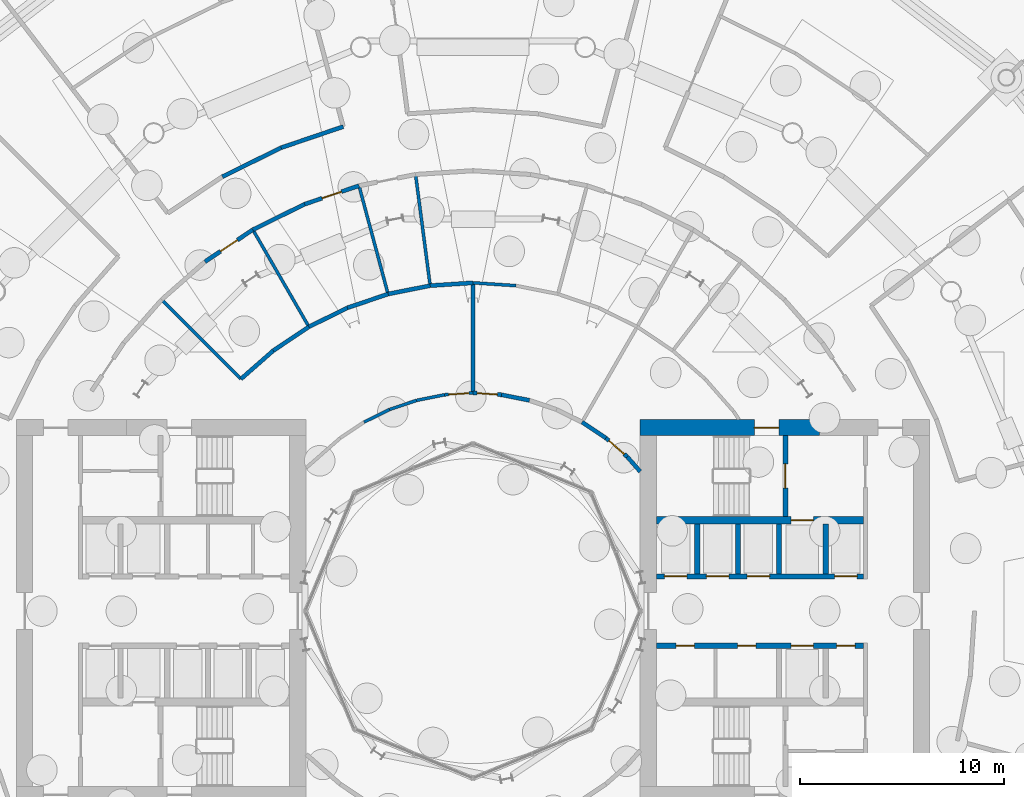
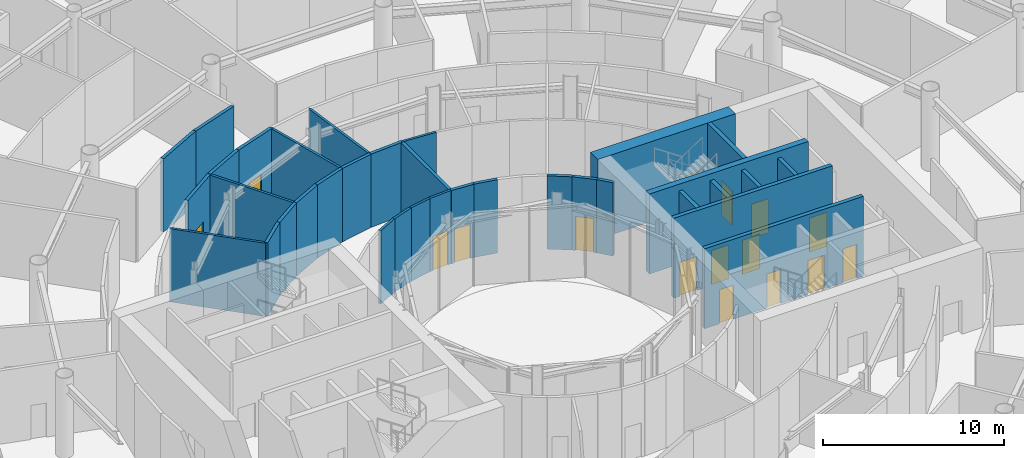
# One storey, part 24 of 41: 35 walls, 16 doors, 16 openings.
"""IFC4 building model written with IfcOpenShell, lengths in metres."""

from ifc_helpers import new_model, si_unit, direction, frame, frame_2d, origin, place, context, subcontext, project, spatial, rectangle, extrude, material, layer, layer_set, type_object, element, fill, save


model = new_model("IFC4")

# Units and contexts
model_context = context("Model", 3, precision=1e-05, world=origin(), true_north=direction((0.0, 1.0)))
body_context = subcontext(model_context, "Body", "Model", "MODEL_VIEW")
ifc_project = project(units=[si_unit("LENGTHUNIT", "METRE"), si_unit("AREAUNIT", "SQUARE_METRE"), si_unit("VOLUMEUNIT", "CUBIC_METRE"), si_unit("PLANEANGLEUNIT", "RADIAN"), si_unit("MASSUNIT", "GRAM", prefix="KILO")], contexts=[model_context])

# Site, building, storey
site_placement = place(None, origin())
site = spatial("IfcSite", under=ifc_project, at=site_placement, CompositionType="ELEMENT")
building_placement = place(site_placement, origin())
building = spatial("IfcBuilding", under=site, at=building_placement, Name="Maasbend Ring Residences", CompositionType="ELEMENT")
storey_placement = place(building_placement, origin())
storey = spatial("IfcBuildingStorey", under=building, at=storey_placement, Name="L00", CompositionType="ELEMENT", Elevation=0.0)

# Wall, openings, doors
ifc_material_1 = material(Name="Concrete C70/85", Category="concrete")
ifc_layer_1 = layer(ifc_material_1, 0.25)
ifc_layer_set_1 = layer_set([ifc_layer_1], Name="Concrete C70/85")
wall_type_1 = type_object("IfcWallType", Name="CORE WALL 250 C70/85", PredefinedType="SHEAR", material=ifc_layer_set_1)
wall_1_placement = place(storey_placement, frame((9.0, 1.699951171875, 0.0), z_axis=(0.0, 0.0, 1.0), x_axis=(1.0, 0.0, 0.0)))
wall_1 = element("IfcWall", 1, at=wall_1_placement, inside=storey, type_object=wall_type_1, Name="L00 core E wall SPN", PredefinedType="SHEAR", context=body_context, shape_type="SweptSolid", body=[
    extrude(rectangle(XDim=10.14990234375, YDim=0.25, at=frame_2d((5.074951171875, 0.0))), origin(), (0.0, 0.0, 1.0), 5.39990234375),
])
opening_1_placement = place(wall_1_placement, frame((0.387451171875, 0.0, 0.0)))
opening_1 = element("IfcOpeningElement", 2, at=opening_1_placement, cuts=wall_1, Name="Opening LD-E0001", PredefinedType="OPENING", context=body_context, shape_type="SweptSolid", body=[
    extrude(rectangle(XDim=1.10009765625, YDim=2.300048828125, at=frame_2d((0.550048828125, 1.14990234375))), frame((0.0, 0.135009765625, 0.0), z_axis=(0.0, -1.0, 0.0), x_axis=(1.0, 0.0, 0.0)), (0.0, 0.0, 1.0), 0.27001953125),
])
opening_2_placement = place(wall_1_placement, frame((2.449951171875, 0.0, 0.0)))
opening_2 = element("IfcOpeningElement", 3, at=opening_2_placement, cuts=wall_1, Name="Opening LD-E0002", PredefinedType="OPENING", context=body_context, shape_type="SweptSolid", body=[
    extrude(rectangle(XDim=1.10009765625, YDim=2.300048828125, at=frame_2d((0.550048828125, 1.14990234375))), frame((0.0, 0.135009765625, 0.0), z_axis=(0.0, -1.0, 0.0), x_axis=(1.0, 0.0, 0.0)), (0.0, 0.0, 1.0), 0.27001953125),
])
opening_3_placement = place(wall_1_placement, frame((4.449951171875, 0.0, 0.0)))
opening_3 = element("IfcOpeningElement", 4, at=opening_3_placement, cuts=wall_1, Name="Opening LD-E0003", PredefinedType="OPENING", context=body_context, shape_type="SweptSolid", body=[
    extrude(rectangle(XDim=1.10009765625, YDim=2.300048828125, at=frame_2d((0.550048828125, 1.14990234375))), frame((0.0, 0.135009765625, 0.0), z_axis=(0.0, -1.0, 0.0), x_axis=(1.0, 0.0, 0.0)), (0.0, 0.0, 1.0), 0.27001953125),
])
opening_4_placement = place(wall_1_placement, frame((8.737548828125, 0.0, 0.0)))
opening_4 = element("IfcOpeningElement", 5, at=opening_4_placement, cuts=wall_1, Name="Opening LD-E0005", PredefinedType="OPENING", context=body_context, shape_type="SweptSolid", body=[
    extrude(rectangle(XDim=1.10009765625, YDim=2.300048828125, at=frame_2d((0.550048828125, 1.14990234375))), frame((0.0, 0.135009765625, 0.0), z_axis=(0.0, -1.0, 0.0), x_axis=(1.0, 0.0, 0.0)), (0.0, 0.0, 1.0), 0.27001953125),
])
ifc_material_2 = material(Name="Stainless steel 316", Category="steel")
door_type_1 = type_object("IfcDoorType", Name="LANDING DOOR 1100 X 2300 FD60", OperationType="DOUBLE_DOOR_SLIDING", PredefinedType="DOOR", material=ifc_material_2)
door_1_placement = place(opening_1_placement, origin())
door_1 = element("IfcDoor", 6, at=door_1_placement, inside=storey, type_object=door_type_1, Name="Landing door LR-E1 L00", OperationType="DOUBLE_DOOR_SLIDING", OverallHeight=2.300048828125, OverallWidth=1.10009765625, PredefinedType="DOOR", context=body_context, shape_type="SweptSolid", body=[
    extrude(rectangle(XDim=1.10009765625, YDim=2.300048828125, at=frame_2d((0.550048828125, 1.14990234375))), frame((0.0, 0.02490234375, 0.0), z_axis=(0.0, -1.0, 0.0), x_axis=(1.0, 0.0, 0.0)), (0.0, 0.0, 1.0), 0.050048828125),
])
fill(opening_1, door_1)
door_2_placement = place(opening_2_placement, origin())
door_2 = element("IfcDoor", 7, at=door_2_placement, inside=storey, type_object=door_type_1, Name="Landing door LR-E2 L00", OperationType="DOUBLE_DOOR_SLIDING", OverallHeight=2.300048828125, OverallWidth=1.10009765625, PredefinedType="DOOR", context=body_context, shape_type="SweptSolid", body=[
    extrude(rectangle(XDim=1.10009765625, YDim=2.300048828125, at=frame_2d((0.550048828125, 1.14990234375))), frame((0.0, 0.02490234375, 0.0), z_axis=(0.0, -1.0, 0.0), x_axis=(1.0, 0.0, 0.0)), (0.0, 0.0, 1.0), 0.050048828125),
])
fill(opening_2, door_2)
door_3_placement = place(opening_3_placement, origin())
door_3 = element("IfcDoor", 8, at=door_3_placement, inside=storey, type_object=door_type_1, Name="Landing door LR-E3 L00", OperationType="DOUBLE_DOOR_SLIDING", OverallHeight=2.300048828125, OverallWidth=1.10009765625, PredefinedType="DOOR", context=body_context, shape_type="SweptSolid", body=[
    extrude(rectangle(XDim=1.10009765625, YDim=2.300048828125, at=frame_2d((0.550048828125, 1.14990234375))), frame((0.0, 0.02490234375, 0.0), z_axis=(0.0, -1.0, 0.0), x_axis=(1.0, 0.0, 0.0)), (0.0, 0.0, 1.0), 0.050048828125),
])
fill(opening_3, door_3)
door_4_placement = place(opening_4_placement, origin())
door_4 = element("IfcDoor", 9, at=door_4_placement, inside=storey, type_object=door_type_1, Name="Landing door SH-E L00", OperationType="DOUBLE_DOOR_SLIDING", OverallHeight=2.300048828125, OverallWidth=1.10009765625, PredefinedType="DOOR", context=body_context, shape_type="SweptSolid", body=[
    extrude(rectangle(XDim=1.10009765625, YDim=2.300048828125, at=frame_2d((0.550048828125, 1.14990234375))), frame((0.0, 0.02490234375, 0.0), z_axis=(0.0, -1.0, 0.0), x_axis=(1.0, 0.0, 0.0)), (0.0, 0.0, 1.0), 0.050048828125),
])
fill(opening_4, door_4)

# Wall, opening, door
wall_2_placement = place(storey_placement, frame((15.324951171875, 4.64990234375, 0.0), z_axis=(0.0, 0.0, 1.0), x_axis=(0.0, 1.0, 0.0)))
wall_2 = element("IfcWall", 10, at=wall_2_placement, inside=storey, type_object=wall_type_1, Name="L00 core E wall STEN", PredefinedType="SHEAR", context=body_context, shape_type="SweptSolid", body=[
    extrude(rectangle(XDim=3.9501953125, YDim=0.25, at=frame_2d((1.97509765625, 0.0))), origin(), (0.0, 0.0, 1.0), 5.39990234375),
])
opening_5_placement = place(wall_2_placement, frame((1.375, 0.0, 0.0)))
opening_5 = element("IfcOpeningElement", 11, at=opening_5_placement, cuts=wall_2, Name="Opening D-E0011", PredefinedType="OPENING", context=body_context, shape_type="SweptSolid", body=[
    extrude(rectangle(XDim=1.199951171875, YDim=2.300048828125, at=frame_2d((0.60009765625, 1.14990234375))), frame((0.0, 0.135009765625, 0.0), z_axis=(0.0, -1.0, 0.0), x_axis=(1.0, 0.0, 0.0)), (0.0, 0.0, 1.0), 0.27001953125),
])
ifc_material_3 = material(Name="Steel, powder coated", Category="steel")
door_type_2 = type_object("IfcDoorType", Name="STAIR DOOR 1200 X 2300 FD60", OperationType="NOTDEFINED", PredefinedType="DOOR", material=ifc_material_3)
door_5_placement = place(opening_5_placement, origin())
door_5 = element("IfcDoor", 12, at=door_5_placement, inside=storey, type_object=door_type_2, Name="Stair door ST-E L00", OperationType="SINGLE_SWING_LEFT", OverallHeight=2.300048828125, OverallWidth=1.199951171875, PredefinedType="DOOR", context=body_context, shape_type="SweptSolid", body=[
    extrude(rectangle(XDim=1.199951171875, YDim=2.300048828125, at=frame_2d((0.60009765625, 1.14990234375))), frame((0.0, 0.02490234375, 0.0), z_axis=(0.0, -1.0, 0.0), x_axis=(1.0, 0.0, 0.0)), (0.0, 0.0, 1.0), 0.050048828125),
])
fill(opening_5, door_5)

# Wall, openings, doors
wall_3_placement = place(storey_placement, frame((19.14990234375, -1.699951171875, 0.0), z_axis=(0.0, 0.0, 1.0), x_axis=(-1.0, 0.0, 0.0)))
wall_3 = element("IfcWall", 13, at=wall_3_placement, inside=storey, type_object=wall_type_1, Name="L00 core E wall SPS", PredefinedType="SHEAR", context=body_context, shape_type="SweptSolid", body=[
    extrude(rectangle(XDim=10.14990234375, YDim=0.25, at=frame_2d((5.074951171875, 0.0))), origin(), (0.0, 0.0, 1.0), 5.39990234375),
])
opening_6_placement = place(wall_3_placement, frame((2.449951171875, 0.0, 0.0)))
opening_6 = element("IfcOpeningElement", 14, at=opening_6_placement, cuts=wall_3, Name="Opening LD-E0006", PredefinedType="OPENING", context=body_context, shape_type="SweptSolid", body=[
    extrude(rectangle(XDim=1.10009765625, YDim=2.300048828125, at=frame_2d((0.550048828125, 1.14990234375))), frame((0.0, 0.135009765625, 0.0), z_axis=(0.0, -1.0, 0.0), x_axis=(1.0, 0.0, 0.0)), (0.0, 0.0, 1.0), 0.27001953125),
])
opening_7_placement = place(wall_3_placement, frame((8.28759765625, 0.0, 0.0)))
opening_7 = element("IfcOpeningElement", 15, at=opening_7_placement, cuts=wall_3, Name="Opening D-E0007", PredefinedType="OPENING", context=body_context, shape_type="SweptSolid", body=[
    extrude(rectangle(XDim=0.89990234375, YDim=2.300048828125, at=frame_2d((0.449951171875, 1.14990234375))), frame((0.0, 0.135009765625, 0.0), z_axis=(0.0, -1.0, 0.0), x_axis=(1.0, 0.0, 0.0)), (0.0, 0.0, 1.0), 0.27001953125),
])
opening_8_placement = place(wall_3_placement, frame((5.27490234375, 0.0, 0.0)))
opening_8 = element("IfcOpeningElement", 16, at=opening_8_placement, cuts=wall_3, Name="Opening D-E0008", PredefinedType="OPENING", context=body_context, shape_type="SweptSolid", body=[
    extrude(rectangle(XDim=0.89990234375, YDim=2.300048828125, at=frame_2d((0.449951171875, 1.14990234375))), frame((0.0, 0.135009765625, 0.0), z_axis=(0.0, -1.0, 0.0), x_axis=(1.0, 0.0, 0.0)), (0.0, 0.0, 1.0), 0.27001953125),
])
opening_9_placement = place(wall_3_placement, frame((0.41259765625, 0.0, 0.0)))
opening_9 = element("IfcOpeningElement", 17, at=opening_9_placement, cuts=wall_3, Name="Opening D-E0009", PredefinedType="OPENING", context=body_context, shape_type="SweptSolid", body=[
    extrude(rectangle(XDim=0.89990234375, YDim=2.300048828125, at=frame_2d((0.449951171875, 1.14990234375))), frame((0.0, 0.135009765625, 0.0), z_axis=(0.0, -1.0, 0.0), x_axis=(1.0, 0.0, 0.0)), (0.0, 0.0, 1.0), 0.27001953125),
])
door_6_placement = place(opening_6_placement, origin())
door_6 = element("IfcDoor", 18, at=door_6_placement, inside=storey, type_object=door_type_1, Name="Landing door SV-E L00", OperationType="DOUBLE_DOOR_SLIDING", OverallHeight=2.300048828125, OverallWidth=1.10009765625, PredefinedType="DOOR", context=body_context, shape_type="SweptSolid", body=[
    extrude(rectangle(XDim=1.10009765625, YDim=2.300048828125, at=frame_2d((0.550048828125, 1.14990234375))), frame((0.0, 0.02490234375, 0.0), z_axis=(0.0, -1.0, 0.0), x_axis=(1.0, 0.0, 0.0)), (0.0, 0.0, 1.0), 0.050048828125),
])
fill(opening_6, door_6)
ifc_material_4 = material(Name="Steel, powder coated", Category="steel")
door_type_3 = type_object("IfcDoorType", Name="ROOM DOOR 900 X 2300 FD30S", OperationType="NOTDEFINED", PredefinedType="DOOR", material=ifc_material_4)
door_7_placement = place(opening_7_placement, origin())
door_7 = element("IfcDoor", 19, at=door_7_placement, inside=storey, type_object=door_type_3, Name="Room door L00", OperationType="SINGLE_SWING_LEFT", OverallHeight=2.300048828125, OverallWidth=0.89990234375, PredefinedType="DOOR", context=body_context, shape_type="SweptSolid", body=[
    extrude(rectangle(XDim=0.89990234375, YDim=2.300048828125, at=frame_2d((0.449951171875, 1.14990234375))), frame((0.0, 0.02490234375, 0.0), z_axis=(0.0, -1.0, 0.0), x_axis=(1.0, 0.0, 0.0)), (0.0, 0.0, 1.0), 0.050048828125),
])
fill(opening_7, door_7)
door_8_placement = place(opening_8_placement, origin())
door_8 = element("IfcDoor", 20, at=door_8_placement, inside=storey, type_object=door_type_3, Name="Room door L00", OperationType="SINGLE_SWING_LEFT", OverallHeight=2.300048828125, OverallWidth=0.89990234375, PredefinedType="DOOR", context=body_context, shape_type="SweptSolid", body=[
    extrude(rectangle(XDim=0.89990234375, YDim=2.300048828125, at=frame_2d((0.449951171875, 1.14990234375))), frame((0.0, 0.02490234375, 0.0), z_axis=(0.0, -1.0, 0.0), x_axis=(1.0, 0.0, 0.0)), (0.0, 0.0, 1.0), 0.050048828125),
])
fill(opening_8, door_8)
door_9_placement = place(opening_9_placement, origin())
door_9 = element("IfcDoor", 21, at=door_9_placement, inside=storey, type_object=door_type_3, Name="Room door L00", OperationType="SINGLE_SWING_RIGHT", OverallHeight=2.300048828125, OverallWidth=0.89990234375, PredefinedType="DOOR", context=body_context, shape_type="SweptSolid", body=[
    extrude(rectangle(XDim=0.89990234375, YDim=2.300048828125, at=frame_2d((0.449951171875, 1.14990234375))), frame((0.0, 0.02490234375, 0.0), z_axis=(0.0, -1.0, 0.0), x_axis=(1.0, 0.0, 0.0)), (0.0, 0.0, 1.0), 0.050048828125),
])
fill(opening_9, door_9)

# Wall, opening, door
ifc_material_5 = material(Name="Concrete C70/85", Category="concrete")
ifc_layer_2 = layer(ifc_material_5, 0.375)
ifc_layer_set_2 = layer_set([ifc_layer_2], Name="Concrete C70/85")
wall_type_2 = type_object("IfcWallType", Name="CORE WALL 375 C70/85", PredefinedType="SHEAR", material=ifc_layer_set_2)
wall_4_placement = place(storey_placement, frame((9.0, 4.46240234375, 0.0), z_axis=(0.0, 0.0, 1.0), x_axis=(1.0, 0.0, 0.0)))
wall_4 = element("IfcWall", 22, at=wall_4_placement, inside=storey, type_object=wall_type_2, Name="L00 core E wall BN", PredefinedType="SHEAR", context=body_context, shape_type="SweptSolid", body=[
    extrude(rectangle(XDim=10.14990234375, YDim=0.375, at=frame_2d((5.074951171875, 0.0))), origin(), (0.0, 0.0, 1.0), 5.39990234375),
])
opening_10_placement = place(wall_4_placement, frame((6.60009765625, 0.0, 0.0)))
opening_10 = element("IfcOpeningElement", 23, at=opening_10_placement, cuts=wall_4, Name="Opening LD-E0004", PredefinedType="OPENING", context=body_context, shape_type="SweptSolid", body=[
    extrude(rectangle(XDim=1.10009765625, YDim=2.300048828125, at=frame_2d((0.550048828125, 1.14990234375))), frame((0.0, 0.197509765625, 0.0), z_axis=(0.0, -1.0, 0.0), x_axis=(1.0, 0.0, 0.0)), (0.0, 0.0, 1.0), 0.39501953125),
])
door_10_placement = place(opening_10_placement, origin())
door_10 = element("IfcDoor", 24, at=door_10_placement, inside=storey, type_object=door_type_1, Name="Landing door FF-E L00", OperationType="DOUBLE_DOOR_SLIDING", OverallHeight=2.300048828125, OverallWidth=1.10009765625, PredefinedType="DOOR", context=body_context, shape_type="SweptSolid", body=[
    extrude(rectangle(XDim=1.10009765625, YDim=2.300048828125, at=frame_2d((0.550048828125, 1.14990234375))), frame((0.0, 0.02490234375, 0.0), z_axis=(0.0, -1.0, 0.0), x_axis=(1.0, 0.0, 0.0)), (0.0, 0.0, 1.0), 0.050048828125),
])
fill(opening_10, door_10)

ifc_material_6 = material(Name="Concrete C70/85", Category="concrete")
ifc_layer_3 = layer(ifc_material_6, 0.800048828125)
ifc_layer_set_3 = layer_set([ifc_layer_3], Name="Concrete C70/85")
wall_type_3 = type_object("IfcWallType", Name="CORE WALL 800 C70/85", PredefinedType="SHEAR", material=ifc_layer_set_3)
wall_5_placement = place(storey_placement, frame((8.199951171875, 9.0, 0.0), z_axis=(0.0, 0.0, 1.0), x_axis=(1.0, 0.0, 0.0)))
wall_5 = element("IfcWall", 25, at=wall_5_placement, inside=storey, type_object=wall_type_3, Name="L00 core E wall PNA", PredefinedType="SHEAR", context=body_context, shape_type="SweptSolid", body=[
    extrude(rectangle(XDim=8.800048828125, YDim=0.800048828125, at=frame_2d((4.39990234375, 0.0))), origin(), (0.0, 0.0, 1.0), 5.39990234375),
])
opening_11_placement = place(wall_5_placement, frame((5.60009765625, 0.0, 0.0)))
opening_11 = element("IfcOpeningElement", 26, at=opening_11_placement, cuts=wall_5, Name="Opening D-E0019", PredefinedType="OPENING", context=body_context, shape_type="SweptSolid", body=[
    extrude(rectangle(XDim=1.199951171875, YDim=2.300048828125, at=frame_2d((0.60009765625, 1.14990234375))), frame((0.0, 0.41015625, 0.0), z_axis=(0.0, -1.0, 0.0), x_axis=(1.0, 0.0, 0.0)), (0.0, 0.0, 1.0), 0.820068359375),
])
door_11_placement = place(opening_11_placement, origin())
door_11 = element("IfcDoor", 27, at=door_11_placement, inside=storey, type_object=door_type_2, Name="Stair door ST-E L00", OperationType="SINGLE_SWING_LEFT", OverallHeight=2.300048828125, OverallWidth=1.199951171875, PredefinedType="DOOR", context=body_context, shape_type="SweptSolid", body=[
    extrude(rectangle(XDim=1.199951171875, YDim=2.300048828125, at=frame_2d((0.60009765625, 1.14990234375))), frame((0.0, 0.02490234375, 0.0), z_axis=(0.0, -1.0, 0.0), x_axis=(1.0, 0.0, 0.0)), (0.0, 0.0, 1.0), 0.050048828125),
])
fill(opening_11, door_11)

# Wall
ifc_material_7 = material(Name="Concrete C30/37", Category="concrete")
ifc_layer_4 = layer(ifc_material_7, 0.199951171875)
ifc_layer_set_4 = layer_set([ifc_layer_4], Name="Concrete C30/37")
wall_type_4 = type_object("IfcWallType", Name="CORRIDOR WALL 200 CONCRETE", PredefinedType="PARTITIONING", material=ifc_layer_set_4)
wall_6_placement = place(storey_placement, frame((0.0, 10.699951171875, 0.0), z_axis=(0.0, 0.0, 1.0), x_axis=(0.0, 1.0, 0.0)))
element("IfcWall", 28, at=wall_6_placement, inside=storey, type_object=wall_type_4, Name="U-L00-w107", PredefinedType="PARTITIONING", context=body_context, shape_type="SweptSolid", body=[
    extrude(rectangle(XDim=5.400146484375, YDim=0.199951171875, at=frame_2d((2.7001953125, 0.0))), origin(), (0.0, 0.0, 1.0), 4.949951171875),
])

# Wall, opening, door
wall_7_placement = place(storey_placement, frame((0.0, 10.699951171875, 0.0), z_axis=(0.0, 0.0, 1.0), x_axis=(0.997836555004, -0.065743512974, 0.0)))
wall_7 = element("IfcWall", 29, at=wall_7_placement, inside=storey, type_object=wall_type_4, Name="U-L00-w141", PredefinedType="PARTITIONING", context=body_context, shape_type="SweptSolid", body=[
    extrude(rectangle(XDim=1.39990234375, YDim=0.199951171875, at=frame_2d((0.699951171875, 0.0))), origin(), (0.0, 0.0, 1.0), 4.949951171875),
])
opening_12_placement = place(wall_7_placement, frame((0.199951171875, 0.0, 0.0)))
opening_12 = element("IfcOpeningElement", 30, at=opening_12_placement, cuts=wall_7, Name="Opening D-0002", PredefinedType="OPENING", context=body_context, shape_type="SweptSolid", body=[
    extrude(rectangle(XDim=1.0, YDim=2.300048828125, at=frame_2d((0.5, 1.14990234375))), frame((0.0, 0.10986328125, 0.0), z_axis=(0.0, -1.0, 0.0), x_axis=(1.0, 0.0, 0.0)), (0.0, 0.0, 1.0), 0.219970703125),
])
ifc_material_8 = material(Name="Timber, painted", Category="wood")
door_type_4 = type_object("IfcDoorType", Name="ROOM DOOR 1000 X 2300", OperationType="NOTDEFINED", PredefinedType="DOOR", material=ifc_material_8)
door_12_placement = place(opening_12_placement, origin())
door_12 = element("IfcDoor", 31, at=door_12_placement, inside=storey, type_object=door_type_4, Name="D-0002", OperationType="SINGLE_SWING_LEFT", OverallHeight=2.300048828125, OverallWidth=1.0, PredefinedType="DOOR", context=body_context, shape_type="SweptSolid", body=[
    extrude(rectangle(XDim=1.0, YDim=2.300048828125, at=frame_2d((0.5, 1.14990234375))), frame((0.0, 0.02490234375, 0.0), z_axis=(0.0, -1.0, 0.0), x_axis=(1.0, 0.0, 0.0)), (0.0, 0.0, 1.0), 0.050048828125),
])
fill(opening_12, door_12)

# Walls
wall_8_placement = place(storey_placement, frame((1.39697265625, 10.60791015625, 0.0), z_axis=(0.0, 0.0, 1.0), x_axis=(0.98078152375, -0.195109207038, 0.0)))
element("IfcWall", 32, at=wall_8_placement, inside=storey, type_object=wall_type_4, Name="U-L00-w142", PredefinedType="PARTITIONING", context=body_context, shape_type="SweptSolid", body=[
    extrude(rectangle(XDim=1.39892578125, YDim=0.199951171875, at=frame_2d((0.699462890625, 0.0))), origin(), (0.0, 0.0, 1.0), 4.949951171875),
])
wall_9_placement = place(storey_placement, frame((5.35009765625, 9.26611328125, 0.0), z_axis=(0.0, 0.0, 1.0), x_axis=(0.831647476803, -0.555303947696, 0.0)))
element("IfcWall", 33, at=wall_9_placement, inside=storey, type_object=wall_type_4, Name="U-L00-w145", PredefinedType="PARTITIONING", context=body_context, shape_type="SweptSolid", body=[
    extrude(rectangle(XDim=1.3994140625, YDim=0.199951171875, at=frame_2d((0.69970703125, 0.0))), origin(), (0.0, 0.0, 1.0), 4.949951171875),
])

# Wall, opening, door
wall_10_placement = place(storey_placement, frame((6.513916015625, 8.489013671875, 0.0), z_axis=(0.0, 0.0, 1.0), x_axis=(0.751657456611, -0.65955368843, 0.0)))
wall_10 = element("IfcWall", 34, at=wall_10_placement, inside=storey, type_object=wall_type_4, Name="U-L00-w146", PredefinedType="PARTITIONING", context=body_context, shape_type="SweptSolid", body=[
    extrude(rectangle(XDim=1.399658203125, YDim=0.199951171875, at=frame_2d((0.69970703125, 0.0))), origin(), (0.0, 0.0, 1.0), 4.949951171875),
])
opening_13_placement = place(wall_10_placement, frame((0.199951171875, 0.0, 0.0)))
opening_13 = element("IfcOpeningElement", 35, at=opening_13_placement, cuts=wall_10, Name="Opening D-0001", PredefinedType="OPENING", context=body_context, shape_type="SweptSolid", body=[
    extrude(rectangle(XDim=1.0, YDim=2.300048828125, at=frame_2d((0.5, 1.14990234375))), frame((0.0, 0.10986328125, 0.0), z_axis=(0.0, -1.0, 0.0), x_axis=(1.0, 0.0, 0.0)), (0.0, 0.0, 1.0), 0.219970703125),
])
door_13_placement = place(opening_13_placement, origin())
door_13 = element("IfcDoor", 36, at=door_13_placement, inside=storey, type_object=door_type_4, Name="D-0001", OperationType="SINGLE_SWING_LEFT", OverallHeight=2.300048828125, OverallWidth=1.0, PredefinedType="DOOR", context=body_context, shape_type="SweptSolid", body=[
    extrude(rectangle(XDim=1.0, YDim=2.300048828125, at=frame_2d((0.5, 1.14990234375))), frame((0.0, 0.02490234375, 0.0), z_axis=(0.0, -1.0, 0.0), x_axis=(1.0, 0.0, 0.0)), (0.0, 0.0, 1.0), 0.050048828125),
])
fill(opening_13, door_13)

# Walls
wall_11_placement = place(storey_placement, frame((7.56591796875, 7.56591796875, 0.0), z_axis=(0.0, 0.0, 1.0), x_axis=(0.659384951594, -0.751805483893, 0.0)))
element("IfcWall", 37, at=wall_11_placement, inside=storey, type_object=wall_type_4, Name="U-L00-w147", PredefinedType="PARTITIONING", context=body_context, shape_type="SweptSolid", body=[
    extrude(rectangle(XDim=0.961669921875, YDim=0.199951171875, at=frame_2d((0.48095703125, 0.0))), origin(), (0.0, 0.0, 1.0), 4.949951171875),
])
for number, where, z_axis, x_axis, name in (
    (38, (-11.384033203125, 11.384033203125, 0.0), (0.0, 0.0, 1.0), (0.751685505492, 0.659521721275, 0.0), "U-L00-w148"),
    (39, (-9.801025390625, 12.77294921875, 0.0), (0.0, 0.0, 1.0), (0.831425547365, 0.555636175198, 0.0), "U-L00-w149"),
    (40, (-8.050048828125, 13.943115234375, 0.0), (0.0, 0.0, 1.0), (0.897008779175, 0.442012726156, 0.0), "U-L00-w150"),
):
    element("IfcWall", number, at=place(storey_placement, frame(where, z_axis=z_axis, x_axis=x_axis)), inside=storey, type_object=wall_type_4, Name=name, PredefinedType="PARTITIONING", context=body_context, shape_type="SweptSolid", body=[
        extrude(rectangle(XDim=2.10595703125, YDim=0.199951171875, at=frame_2d((1.052978515625, 0.0))), origin(), (0.0, 0.0, 1.0), 4.949951171875),
    ])
wall_12_placement = place(storey_placement, frame((-6.160888671875, 14.8740234375, 0.0), z_axis=(0.0, 0.0, 1.0), x_axis=(0.94690623261, 0.321509854662, 0.0)))
element("IfcWall", 41, at=wall_12_placement, inside=storey, type_object=wall_type_4, Name="U-L00-w151", PredefinedType="PARTITIONING", context=body_context, shape_type="SweptSolid", body=[
    extrude(rectangle(XDim=2.105712890625, YDim=0.199951171875, at=frame_2d((1.052734375, 0.0))), origin(), (0.0, 0.0, 1.0), 4.949951171875),
])
wall_13_placement = place(storey_placement, frame((-4.1669921875, 15.551025390625, 0.0), z_axis=(0.0, 0.0, 1.0), x_axis=(0.980789636989, 0.195068418702, 0.0)))
element("IfcWall", 42, at=wall_13_placement, inside=storey, type_object=wall_type_4, Name="U-L00-w152", PredefinedType="PARTITIONING", context=body_context, shape_type="SweptSolid", body=[
    extrude(rectangle(XDim=2.1064453125, YDim=0.199951171875, at=frame_2d((1.05322265625, 0.0))), origin(), (0.0, 0.0, 1.0), 4.949951171875),
])
wall_14_placement = place(storey_placement, frame((-2.10107421875, 15.9619140625, 0.0), z_axis=(0.0, 0.0, 1.0), x_axis=(0.997844271403, 0.065626290683, 0.0)))
element("IfcWall", 43, at=wall_14_placement, inside=storey, type_object=wall_type_4, Name="U-L00-w153", PredefinedType="PARTITIONING", context=body_context, shape_type="SweptSolid", body=[
    extrude(rectangle(XDim=2.105712890625, YDim=0.199951171875, at=frame_2d((1.052734375, 0.0))), origin(), (0.0, 0.0, 1.0), 4.949951171875),
])

# Wall, opening, door
wall_15_placement = place(storey_placement, frame((-13.14892578125, 17.135986328125, 0.0), z_axis=(0.0, 0.0, 1.0), x_axis=(0.831371669473, 0.55571678686, 0.0)))
wall_15 = element("IfcWall", 44, at=wall_15_placement, inside=storey, type_object=wall_type_4, Name="U-L00-w165", PredefinedType="PARTITIONING", context=body_context, shape_type="SweptSolid", body=[
    extrude(rectangle(XDim=2.8251953125, YDim=0.199951171875, at=frame_2d((1.41259765625, 0.0))), origin(), (0.0, 0.0, 1.0), 4.949951171875),
])
opening_14_placement = place(wall_15_placement, frame((0.9130859375, 0.0, 0.0)))
opening_14 = element("IfcOpeningElement", 45, at=opening_14_placement, cuts=wall_15, Name="Opening D-0013", PredefinedType="OPENING", context=body_context, shape_type="SweptSolid", body=[
    extrude(rectangle(XDim=1.0, YDim=2.300048828125, at=frame_2d((0.5, 1.14990234375))), frame((0.0, 0.10986328125, 0.0), z_axis=(0.0, -1.0, 0.0), x_axis=(1.0, 0.0, 0.0)), (0.0, 0.0, 1.0), 0.219970703125),
])
door_14_placement = place(opening_14_placement, origin())
door_14 = element("IfcDoor", 46, at=door_14_placement, inside=storey, type_object=door_type_4, Name="D-0013", OperationType="SINGLE_SWING_RIGHT", OverallHeight=2.300048828125, OverallWidth=1.0, PredefinedType="DOOR", context=body_context, shape_type="SweptSolid", body=[
    extrude(rectangle(XDim=1.0, YDim=2.300048828125, at=frame_2d((0.5, 1.14990234375))), frame((0.0, 0.02490234375, 0.0), z_axis=(0.0, -1.0, 0.0), x_axis=(1.0, 0.0, 0.0)), (0.0, 0.0, 1.0), 0.050048828125),
])
fill(opening_14, door_14)

# Wall
wall_16_placement = place(storey_placement, frame((-10.800048828125, 18.7060546875, 0.0), z_axis=(0.0, 0.0, 1.0), x_axis=(0.896816398134, 0.442402924988, 0.0)))
element("IfcWall", 47, at=wall_16_placement, inside=storey, type_object=wall_type_4, Name="U-L00-w166", PredefinedType="PARTITIONING", context=body_context, shape_type="SweptSolid", body=[
    extrude(rectangle(XDim=2.825439453125, YDim=0.199951171875, at=frame_2d((1.41259765625, 0.0))), origin(), (0.0, 0.0, 1.0), 4.949951171875),
])

# Wall, opening, door
wall_17_placement = place(storey_placement, frame((-8.26611328125, 19.9560546875, 0.0), z_axis=(0.0, 0.0, 1.0), x_axis=(0.946976353269, 0.321303262276, 0.0)))
wall_17 = element("IfcWall", 48, at=wall_17_placement, inside=storey, type_object=wall_type_4, Name="U-L00-w167", PredefinedType="PARTITIONING", context=body_context, shape_type="SweptSolid", body=[
    extrude(rectangle(XDim=2.825927734375, YDim=0.199951171875, at=frame_2d((1.4130859375, 0.0))), origin(), (0.0, 0.0, 1.0), 4.949951171875),
])
opening_15_placement = place(wall_17_placement, frame((0.9130859375, 0.0, 0.0)))
opening_15 = element("IfcOpeningElement", 49, at=opening_15_placement, cuts=wall_17, Name="Opening D-0012", PredefinedType="OPENING", context=body_context, shape_type="SweptSolid", body=[
    extrude(rectangle(XDim=1.0, YDim=2.300048828125, at=frame_2d((0.5, 1.14990234375))), frame((0.0, 0.10986328125, 0.0), z_axis=(0.0, -1.0, 0.0), x_axis=(1.0, 0.0, 0.0)), (0.0, 0.0, 1.0), 0.219970703125),
])
door_15_placement = place(opening_15_placement, origin())
door_15 = element("IfcDoor", 50, at=door_15_placement, inside=storey, type_object=door_type_4, Name="D-0012", OperationType="SINGLE_SWING_RIGHT", OverallHeight=2.300048828125, OverallWidth=1.0, PredefinedType="DOOR", context=body_context, shape_type="SweptSolid", body=[
    extrude(rectangle(XDim=1.0, YDim=2.300048828125, at=frame_2d((0.5, 1.14990234375))), frame((0.0, 0.02490234375, 0.0), z_axis=(0.0, -1.0, 0.0), x_axis=(1.0, 0.0, 0.0)), (0.0, 0.0, 1.0), 0.050048828125),
])
fill(opening_15, door_15)

# Walls
wall_18_placement = place(storey_placement, frame((-12.300048828125, 21.303955078125, 0.0), z_axis=(0.0, 0.0, 1.0), x_axis=(0.896886949195, 0.442259878763, 0.0)))
element("IfcWall", 51, at=wall_18_placement, inside=storey, type_object=wall_type_4, Name="U-L00-w184", PredefinedType="PARTITIONING", context=body_context, shape_type="SweptSolid", body=[
    extrude(rectangle(XDim=3.2177734375, YDim=0.199951171875, at=frame_2d((1.60888671875, 0.0))), origin(), (0.0, 0.0, 1.0), 4.949951171875),
])
wall_19_placement = place(storey_placement, frame((-9.4140625, 22.72705078125, 0.0), z_axis=(0.0, 0.0, 1.0), x_axis=(0.946877665823, 0.321593976879, 0.0)))
element("IfcWall", 52, at=wall_19_placement, inside=storey, type_object=wall_type_4, Name="U-L00-w185", PredefinedType="PARTITIONING", context=body_context, shape_type="SweptSolid", body=[
    extrude(rectangle(XDim=3.218017578125, YDim=0.199951171875, at=frame_2d((1.60888671875, 0.0))), origin(), (0.0, 0.0, 1.0), 4.949951171875),
])
ifc_material_9 = material(Name="Gypsum board on steel studs", Category="steel")
ifc_layer_5 = layer(ifc_material_9, 0.14990234375)
ifc_layer_set_5 = layer_set([ifc_layer_5], Name="PARTITION 150 GYPSUM")
wall_type_5 = type_object("IfcWallType", Name="PARTITION 150 GYPSUM", PredefinedType="PARTITIONING", material=ifc_layer_set_5)
wall_20_placement = place(storey_placement, frame((-15.27392578125, 15.27392578125, 0.0), z_axis=(0.0, 0.0, 1.0), x_axis=(0.707106781187, -0.707106781187, 0.0)))
element("IfcWall", 53, at=wall_20_placement, inside=storey, type_object=wall_type_5, Name="U-L00-w096", PredefinedType="PARTITIONING", context=body_context, shape_type="SweptSolid", body=[
    extrude(rectangle(XDim=5.501220703125, YDim=0.14990234375, at=frame_2d((2.75048828125, 0.0))), origin(), (0.0, 0.0, 1.0), 4.949951171875),
])
wall_21_placement = place(storey_placement, frame((-10.800048828125, 18.7060546875, 0.0), z_axis=(0.0, 0.0, 1.0), x_axis=(0.500015767406, -0.866016300277, 0.0)))
element("IfcWall", 54, at=wall_21_placement, inside=storey, type_object=wall_type_5, Name="U-L00-w100", PredefinedType="PARTITIONING", context=body_context, shape_type="SweptSolid", body=[
    extrude(rectangle(XDim=5.499755859375, YDim=0.14990234375, at=frame_2d((2.75, 0.0))), origin(), (0.0, 0.0, 1.0), 4.949951171875),
])
wall_22_placement = place(storey_placement, frame((-5.593017578125, 20.863037109375, 0.0), z_axis=(0.0, 0.0, 1.0), x_axis=(0.258897298886, -0.965904854853, 0.0)))
element("IfcWall", 55, at=wall_22_placement, inside=storey, type_object=wall_type_5, Name="U-L00-w105", PredefinedType="PARTITIONING", context=body_context, shape_type="SweptSolid", body=[
    extrude(rectangle(XDim=5.50048828125, YDim=0.14990234375, at=frame_2d((2.750244140625, 0.0))), origin(), (0.0, 0.0, 1.0), 4.949951171875),
])
wall_23_placement = place(storey_placement, frame((-2.819091796875, 21.4150390625, 0.0), z_axis=(0.0, 0.0, 1.0), x_axis=(0.130369542074, -0.991465472167, 0.0)))
element("IfcWall", 56, at=wall_23_placement, inside=storey, type_object=wall_type_5, Name="U-L00-w106", PredefinedType="PARTITIONING", context=body_context, shape_type="SweptSolid", body=[
    extrude(rectangle(XDim=5.5, YDim=0.14990234375, at=frame_2d((2.75, 0.0))), origin(), (0.0, 0.0, 1.0), 4.949951171875),
])
for number, where, z_axis, x_axis, name in (
    (57, (-5.35009765625, 9.26611328125, 0.0), (0.0, 0.0, 1.0), (0.896613890545, 0.442813201341, 0.0), "U-L00-w137"),
    (58, (-4.094970703125, 9.885986328125, 0.0), (0.0, 0.0, 1.0), (0.947172777338, 0.320723759441, 0.0), "U-L00-w138"),
):
    element("IfcWall", number, at=place(storey_placement, frame(where, z_axis=z_axis, x_axis=x_axis)), inside=storey, type_object=wall_type_5, Name=name, PredefinedType="PARTITIONING", context=body_context, shape_type="SweptSolid", body=[
        extrude(rectangle(XDim=1.39990234375, YDim=0.14990234375, at=frame_2d((0.699951171875, 0.0))), origin(), (0.0, 0.0, 1.0), 4.949951171875),
    ])
wall_24_placement = place(storey_placement, frame((-2.76904296875, 10.3349609375, 0.0), z_axis=(0.0, 0.0, 1.0), x_axis=(0.98078152375, 0.195109207038, 0.0)))
element("IfcWall", 59, at=wall_24_placement, inside=storey, type_object=wall_type_5, Name="U-L00-w139", PredefinedType="PARTITIONING", context=body_context, shape_type="SweptSolid", body=[
    extrude(rectangle(XDim=1.39892578125, YDim=0.14990234375, at=frame_2d((0.699462890625, 0.0))), origin(), (0.0, 0.0, 1.0), 4.949951171875),
])

# Wall, opening, door
wall_25_placement = place(storey_placement, frame((-1.39697265625, 10.60791015625, 0.0), z_axis=(0.0, 0.0, 1.0), x_axis=(0.997836555004, 0.065743512974, 0.0)))
wall_25 = element("IfcWall", 60, at=wall_25_placement, inside=storey, type_object=wall_type_5, Name="U-L00-w140", PredefinedType="PARTITIONING", context=body_context, shape_type="SweptSolid", body=[
    extrude(rectangle(XDim=1.39990234375, YDim=0.14990234375, at=frame_2d((0.699951171875, 0.0))), origin(), (0.0, 0.0, 1.0), 4.949951171875),
])
opening_16_placement = place(wall_25_placement, frame((0.199951171875, 0.0, 0.0)))
opening_16 = element("IfcOpeningElement", 61, at=opening_16_placement, cuts=wall_25, Name="Opening D-0003", PredefinedType="OPENING", context=body_context, shape_type="SweptSolid", body=[
    extrude(rectangle(XDim=1.0, YDim=2.300048828125, at=frame_2d((0.5, 1.14990234375))), frame((0.0, 0.0849609375, 0.0), z_axis=(0.0, -1.0, 0.0), x_axis=(1.0, 0.0, 0.0)), (0.0, 0.0, 1.0), 0.169921875),
])
door_16_placement = place(opening_16_placement, origin())
door_16 = element("IfcDoor", 62, at=door_16_placement, inside=storey, type_object=door_type_4, Name="D-0003", OperationType="SINGLE_SWING_RIGHT", OverallHeight=2.300048828125, OverallWidth=1.0, PredefinedType="DOOR", context=body_context, shape_type="SweptSolid", body=[
    extrude(rectangle(XDim=1.0, YDim=2.300048828125, at=frame_2d((0.5, 1.14990234375))), frame((0.0, 0.02490234375, 0.0), z_axis=(0.0, -1.0, 0.0), x_axis=(1.0, 0.0, 0.0)), (0.0, 0.0, 1.0), 0.050048828125),
])
fill(opening_16, door_16)

# Walls
wall_26_placement = place(storey_placement, frame((0.0, 16.10009765625, 0.0), z_axis=(0.0, 0.0, 1.0), x_axis=(0.997844271403, -0.065626290683, 0.0)))
element("IfcWall", 63, at=wall_26_placement, inside=storey, type_object=wall_type_5, Name="U-L00-w154", PredefinedType="PARTITIONING", context=body_context, shape_type="SweptSolid", body=[
    extrude(rectangle(XDim=2.105712890625, YDim=0.14990234375, at=frame_2d((1.052734375, 0.0))), origin(), (0.0, 0.0, 1.0), 4.949951171875),
])
ifc_material_10 = material(Name="Concrete C30/37", Category="concrete")
ifc_layer_6 = layer(ifc_material_10, 0.25)
ifc_layer_set_6 = layer_set([ifc_layer_6], Name="Concrete C30/37")
wall_type_6 = type_object("IfcWallType", Name="SHAFT WALL 250 EI 120", PredefinedType="SOLIDWALL", material=ifc_layer_set_6)
for number, where, z_axis, x_axis, name in (
    (64, (15.0, 1.824951171875, 0.0), (0.0, 0.0, 1.0), (0.0, 1.0, 0.0), "L00 core E wall D150N"),
    (65, (17.300048828125, 1.824951171875, 0.0), (0.0, 0.0, 1.0), (0.0, 1.0, 0.0), "L00 core E wall D173N"),
    (66, (11.0, 1.824951171875, 0.0), (0.0, 0.0, 1.0), (0.0, 1.0, 0.0), "L00 core E wall D110N"),
    (67, (13.0, 1.824951171875, 0.0), (0.0, 0.0, 1.0), (0.0, 1.0, 0.0), "L00 core E wall D130N"),
):
    element("IfcWall", number, at=place(storey_placement, frame(where, z_axis=z_axis, x_axis=x_axis)), inside=storey, type_object=wall_type_6, Name=name, PredefinedType="SOLIDWALL", context=body_context, shape_type="SweptSolid", body=[
        extrude(rectangle(XDim=2.449951171875, YDim=0.25, at=frame_2d((1.22509765625, 0.0))), origin(), (0.0, 0.0, 1.0), 4.949951171875),
    ])

save(model, "model.ifc")
